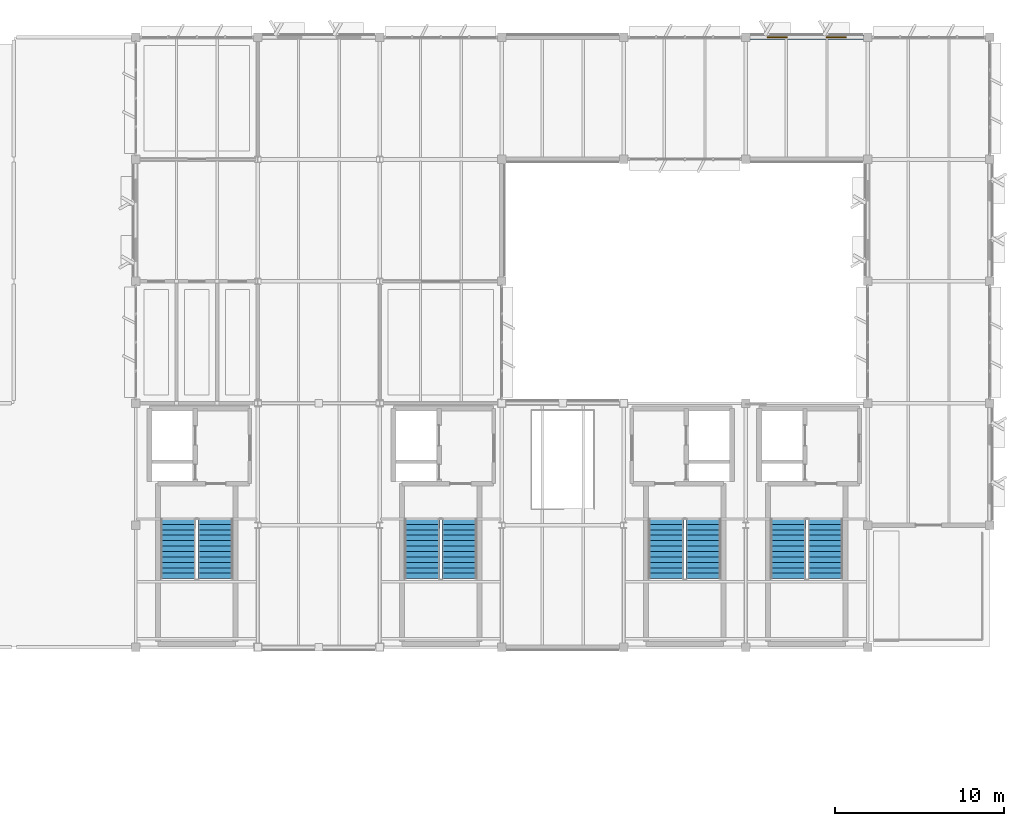
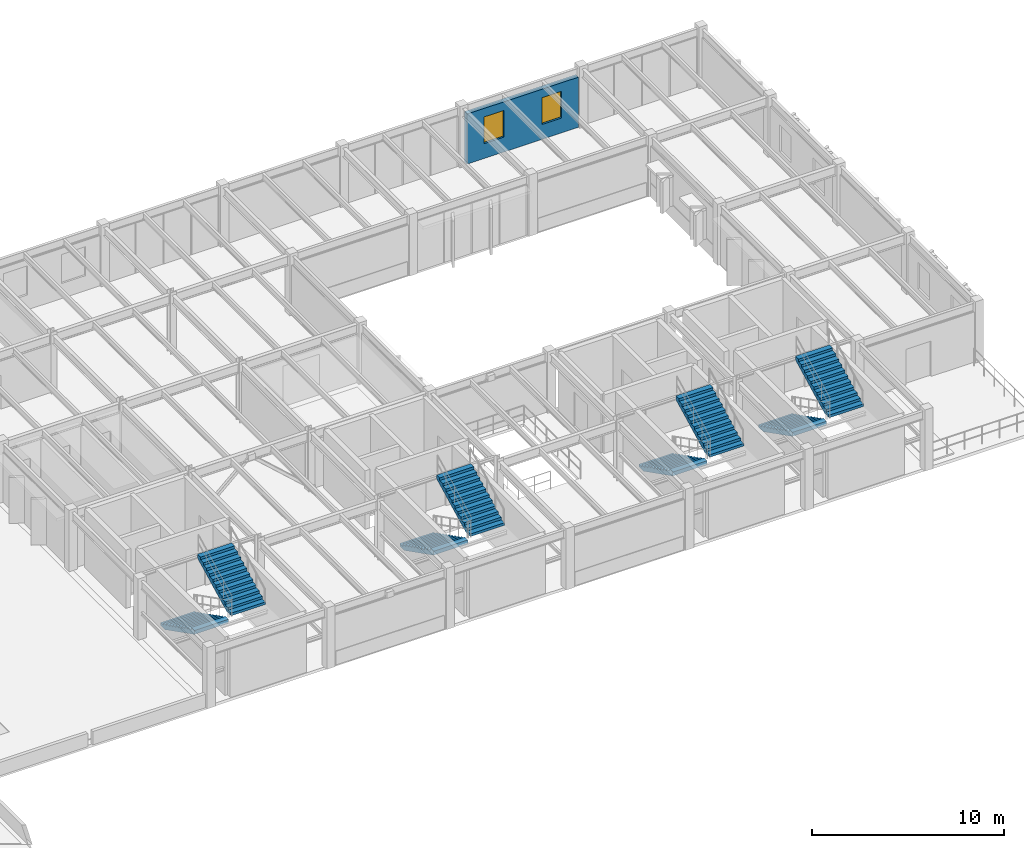
# One storey, part 8 of 23: 8 stair flights, 2 windows, 1 wall, 2 openings, 4 elements without a shape of their own.
"""IFC4 building model written with IfcOpenShell, lengths in metres."""

from ifc_helpers import new_model, si_unit, direction, frame, frame_2d, origin, place, context, subcontext, project, spatial, polyline, rectangle, outline, extrude, material, layer, layer_set, type_object, element, fill, aggregate, save


model = new_model("IFC4")

# Units and contexts
model_context = context("Model", 3, precision=1e-05, world=origin(), true_north=direction((0.0, 1.0)))
body_context = subcontext(model_context, "Body", "Model", "MODEL_VIEW")
ifc_project = project(units=[si_unit("LENGTHUNIT", "METRE"), si_unit("AREAUNIT", "SQUARE_METRE"), si_unit("VOLUMEUNIT", "CUBIC_METRE"), si_unit("PLANEANGLEUNIT", "RADIAN"), si_unit("MASSUNIT", "GRAM", prefix="KILO")], contexts=[model_context])

# Site, building, storey
site_placement = place(None, origin())
site = spatial("IfcSite", under=ifc_project, at=site_placement, CompositionType="ELEMENT")
building_placement = place(site_placement, origin())
building = spatial("IfcBuilding", under=site, at=building_placement, Name="Sillqori Civic Hall", CompositionType="ELEMENT")
storey_placement = place(building_placement, frame((0.0, 0.0, 21.89990234375)))
storey = spatial("IfcBuildingStorey", under=building, at=storey_placement, Name="L06", CompositionType="ELEMENT", Elevation=21.89990234375)

# Wall, openings, windows
ifc_material_1 = material(Name="Precast concrete C40/50 (H40)", Category="concrete")
ifc_layer = layer(ifc_material_1, 0.280029296875)
ifc_layer_set = layer_set([ifc_layer], Name="Precast concrete C40/50 (H40)")
wall_type = type_object("IfcWallType", Name="EW-LIME-280", PredefinedType="SOLIDWALL", material=ifc_layer_set)
wall_placement = place(storey_placement, frame((86.64990234375, 115.199951171875, 0.0), z_axis=(0.0, 0.0, 1.0), x_axis=(1.0, 0.0, 0.0)))
wall = element("IfcWall", 1, at=wall_placement, inside=storey, type_object=wall_type, Name="L06 V4 exterior wall L06-12-15-N", PredefinedType="SOLIDWALL", context=body_context, shape_type="SweptSolid", body=[
    extrude(rectangle(XDim=6.7001953125, YDim=0.280029296875, at=frame_2d((3.35009765625, 0.0))), origin(), (0.0, 0.0, 1.0), 3.192138671875),
])
opening_1_placement = place(wall_placement, frame((1.008056640625, 0.0, 0.949951171875)))
opening_1 = element("IfcOpeningElement", 2, at=opening_1_placement, cuts=wall, Name="Opening W-22", PredefinedType="OPENING", context=body_context, shape_type="SweptSolid", body=[
    extrude(rectangle(XDim=1.199951171875, YDim=1.699951171875, at=frame_2d((0.60009765625, 0.85009765625))), frame((0.0, 0.14990234375, 0.0), z_axis=(0.0, -1.0, 0.0), x_axis=(1.0, 0.0, 0.0)), (0.0, 0.0, 1.0), 0.300048828125),
])
opening_2_placement = place(wall_placement, frame((4.491943359375, 0.0, 0.949951171875)))
opening_2 = element("IfcOpeningElement", 3, at=opening_2_placement, cuts=wall, Name="Opening W-22", PredefinedType="OPENING", context=body_context, shape_type="SweptSolid", body=[
    extrude(rectangle(XDim=1.199951171875, YDim=1.699951171875, at=frame_2d((0.60009765625, 0.85009765625))), frame((0.0, 0.14990234375, 0.0), z_axis=(0.0, -1.0, 0.0), x_axis=(1.0, 0.0, 0.0)), (0.0, 0.0, 1.0), 0.300048828125),
])
ifc_material_2 = material(Name="Thermally Broken Aluminium Low-E Window", Category="aluminium")
window_type = type_object("IfcWindowType", Name="WIN-V5-120X170", PartitioningType="SINGLE_PANEL", PredefinedType="WINDOW", material=ifc_material_2)
window_1_placement = place(opening_1_placement, origin())
window_1 = element("IfcWindow", 4, at=window_1_placement, inside=storey, type_object=window_type, Name="L06 V4 window L06-12-15-N.1", OverallHeight=1.699951171875, OverallWidth=1.199951171875, PartitioningType="SINGLE_PANEL", PredefinedType="WINDOW", context=body_context, shape_type="SweptSolid", body=[
    extrude(rectangle(XDim=1.199951171875, YDim=1.699951171875, at=frame_2d((0.60009765625, 0.85009765625))), frame((0.0, 0.030029296875, 0.0), z_axis=(0.0, -1.0, 0.0), x_axis=(1.0, 0.0, 0.0)), (0.0, 0.0, 1.0), 0.06005859375),
])
fill(opening_1, window_1)
window_2_placement = place(opening_2_placement, origin())
window_2 = element("IfcWindow", 5, at=window_2_placement, inside=storey, type_object=window_type, Name="L06 V4 window L06-12-15-N.2", OverallHeight=1.699951171875, OverallWidth=1.199951171875, PartitioningType="SINGLE_PANEL", PredefinedType="WINDOW", context=body_context, shape_type="SweptSolid", body=[
    extrude(rectangle(XDim=1.199951171875, YDim=1.699951171875, at=frame_2d((0.60009765625, 0.85009765625))), frame((0.0, 0.030029296875, 0.0), z_axis=(0.0, -1.0, 0.0), x_axis=(1.0, 0.0, 0.0)), (0.0, 0.0, 1.0), 0.06005859375),
])
fill(opening_2, window_2)

# Stair, stair flights
ifc_material_3 = material(Name="Concrete C35/45 (H35)", Category="concrete")
stair_type_1 = type_object("IfcStairType", Name="STR-CORE-05", PredefinedType="DOUBLE_RETURN_STAIR", material=ifc_material_3)
stair_1_placement = place(storey_placement, origin())
stair_1 = element("IfcStair", 6, at=stair_1_placement, inside=storey, type_object=stair_type_1, Name="L06 Core exit stair ST-05", PredefinedType="DOUBLE_RETURN_STAIR")
stair_flight_type = type_object("IfcStairFlightType", Name="SFL-CORE-220", PredefinedType="STRAIGHT", material=ifc_material_3)
stair_flight_1_placement = place(storey_placement, frame((52.889892578125, 86.77001953125, 0.0), z_axis=(0.0, 0.0, 1.0), x_axis=(0.0, -1.0, 0.0)))
stair_flight_1 = element("IfcStairFlight", 7, at=stair_flight_1_placement, type_object=stair_flight_type, Name="ST-05 flight 1", NumberOfRisers=12, NumberOfTreads=11, PredefinedType="STRAIGHT", RiserHeight=0.1625, TreadLength=0.32, context=body_context, shape_type="SweptSolid", body=[
    extrude(outline(polyline([(0.0, 0.0), (0.0, 0.16259765625), (0.320068359375, 0.16259765625), (0.320068359375, 0.324951171875), (0.639892578125, 0.324951171875), (0.639892578125, 0.487548828125), (0.9599609375, 0.487548828125), (0.9599609375, 0.64990234375), (1.280029296875, 0.64990234375), (1.280029296875, 0.8125), (1.60009765625, 0.8125), (1.60009765625, 0.97509765625), (1.919921875, 0.97509765625), (1.919921875, 1.137451171875), (2.239990234375, 1.137451171875), (2.239990234375, 1.300048828125), (2.56005859375, 1.300048828125), (2.56005859375, 1.46240234375), (2.8798828125, 1.46240234375), (2.8798828125, 1.625), (3.199951171875, 1.625), (3.199951171875, 1.78759765625), (3.52001953125, 1.78759765625), (3.52001953125, 1.949951171875), (3.52001953125, 1.540771484375), (0.48583984375, 0.0), (0.0, 0.0)])), frame((0.0, 1.030029296875, 0.0), z_axis=(0.0, -1.0, 0.0), x_axis=(1.0, 0.0, 0.0)), (0.0, 0.0, 1.0), 2.06005859375),
])
stair_flight_2_placement = place(storey_placement, frame((55.110107421875, 83.25, 1.9501953125), z_axis=(0.0, 0.0, 1.0), x_axis=(0.0, 1.0, 0.0)))
stair_flight_2 = element("IfcStairFlight", 8, at=stair_flight_2_placement, type_object=stair_flight_type, Name="ST-05 flight 2", NumberOfRisers=12, NumberOfTreads=11, PredefinedType="STRAIGHT", RiserHeight=0.1625, TreadLength=0.32, context=body_context, shape_type="SweptSolid", body=[
    extrude(outline(polyline([(0.0, 0.0), (0.0, 0.16259765625), (0.320068359375, 0.16259765625), (0.320068359375, 0.324951171875), (0.639892578125, 0.324951171875), (0.639892578125, 0.487548828125), (0.9599609375, 0.487548828125), (0.9599609375, 0.64990234375), (1.280029296875, 0.64990234375), (1.280029296875, 0.8125), (1.60009765625, 0.8125), (1.60009765625, 0.97509765625), (1.919921875, 0.97509765625), (1.919921875, 1.137451171875), (2.239990234375, 1.137451171875), (2.239990234375, 1.300048828125), (2.56005859375, 1.300048828125), (2.56005859375, 1.46240234375), (2.8798828125, 1.46240234375), (2.8798828125, 1.625), (3.199951171875, 1.625), (3.199951171875, 1.78759765625), (3.52001953125, 1.78759765625), (3.52001953125, 1.949951171875), (3.52001953125, 1.540771484375), (0.48583984375, 0.0), (0.0, 0.0)])), frame((0.0, 1.030029296875, 0.0), z_axis=(0.0, -1.0, 0.0), x_axis=(1.0, 0.0, 0.0)), (0.0, 0.0, 1.0), 2.06005859375),
])
aggregate(stair_1, [stair_flight_1, stair_flight_2])

stair_type_2 = type_object("IfcStairType", Name="STR-CORE-06", PredefinedType="DOUBLE_RETURN_STAIR", material=ifc_material_3)
stair_2_placement = place(storey_placement, origin())
stair_2 = element("IfcStair", 9, at=stair_2_placement, inside=storey, type_object=stair_type_2, Name="L06 Core exit stair ST-06", PredefinedType="DOUBLE_RETURN_STAIR")
stair_flight_3_placement = place(storey_placement, frame((67.2900390625, 86.77001953125, 0.0), z_axis=(0.0, 0.0, 1.0), x_axis=(0.0, -1.0, 0.0)))
stair_flight_3 = element("IfcStairFlight", 10, at=stair_flight_3_placement, type_object=stair_flight_type, Name="ST-06 flight 1", NumberOfRisers=12, NumberOfTreads=11, PredefinedType="STRAIGHT", RiserHeight=0.1625, TreadLength=0.32, context=body_context, shape_type="SweptSolid", body=[
    extrude(outline(polyline([(0.0, 0.0), (0.0, 0.16259765625), (0.320068359375, 0.16259765625), (0.320068359375, 0.324951171875), (0.639892578125, 0.324951171875), (0.639892578125, 0.487548828125), (0.9599609375, 0.487548828125), (0.9599609375, 0.64990234375), (1.280029296875, 0.64990234375), (1.280029296875, 0.8125), (1.60009765625, 0.8125), (1.60009765625, 0.97509765625), (1.919921875, 0.97509765625), (1.919921875, 1.137451171875), (2.239990234375, 1.137451171875), (2.239990234375, 1.300048828125), (2.56005859375, 1.300048828125), (2.56005859375, 1.46240234375), (2.8798828125, 1.46240234375), (2.8798828125, 1.625), (3.199951171875, 1.625), (3.199951171875, 1.78759765625), (3.52001953125, 1.78759765625), (3.52001953125, 1.949951171875), (3.52001953125, 1.540771484375), (0.48583984375, 0.0), (0.0, 0.0)])), frame((0.0, 1.030029296875, 0.0), z_axis=(0.0, -1.0, 0.0), x_axis=(1.0, 0.0, 0.0)), (0.0, 0.0, 1.0), 2.06005859375),
])
stair_flight_4_placement = place(storey_placement, frame((69.510009765625, 83.25, 1.9501953125), z_axis=(0.0, 0.0, 1.0), x_axis=(0.0, 1.0, 0.0)))
stair_flight_4 = element("IfcStairFlight", 11, at=stair_flight_4_placement, type_object=stair_flight_type, Name="ST-06 flight 2", NumberOfRisers=12, NumberOfTreads=11, PredefinedType="STRAIGHT", RiserHeight=0.1625, TreadLength=0.32, context=body_context, shape_type="SweptSolid", body=[
    extrude(outline(polyline([(0.0, 0.0), (0.0, 0.16259765625), (0.320068359375, 0.16259765625), (0.320068359375, 0.324951171875), (0.639892578125, 0.324951171875), (0.639892578125, 0.487548828125), (0.9599609375, 0.487548828125), (0.9599609375, 0.64990234375), (1.280029296875, 0.64990234375), (1.280029296875, 0.8125), (1.60009765625, 0.8125), (1.60009765625, 0.97509765625), (1.919921875, 0.97509765625), (1.919921875, 1.137451171875), (2.239990234375, 1.137451171875), (2.239990234375, 1.300048828125), (2.56005859375, 1.300048828125), (2.56005859375, 1.46240234375), (2.8798828125, 1.46240234375), (2.8798828125, 1.625), (3.199951171875, 1.625), (3.199951171875, 1.78759765625), (3.52001953125, 1.78759765625), (3.52001953125, 1.949951171875), (3.52001953125, 1.540771484375), (0.48583984375, 0.0), (0.0, 0.0)])), frame((0.0, 1.030029296875, 0.0), z_axis=(0.0, -1.0, 0.0), x_axis=(1.0, 0.0, 0.0)), (0.0, 0.0, 1.0), 2.06005859375),
])
aggregate(stair_2, [stair_flight_3, stair_flight_4])

stair_type_3 = type_object("IfcStairType", Name="STR-CORE-07", PredefinedType="DOUBLE_RETURN_STAIR", material=ifc_material_3)
stair_3_placement = place(storey_placement, origin())
stair_3 = element("IfcStair", 12, at=stair_3_placement, inside=storey, type_object=stair_type_3, Name="L06 Core exit stair ST-07", PredefinedType="DOUBLE_RETURN_STAIR")
stair_flight_5_placement = place(storey_placement, frame((81.68994140625, 86.77001953125, 0.0), z_axis=(0.0, 0.0, 1.0), x_axis=(0.0, -1.0, 0.0)))
stair_flight_5 = element("IfcStairFlight", 13, at=stair_flight_5_placement, type_object=stair_flight_type, Name="ST-07 flight 1", NumberOfRisers=12, NumberOfTreads=11, PredefinedType="STRAIGHT", RiserHeight=0.1625, TreadLength=0.32, context=body_context, shape_type="SweptSolid", body=[
    extrude(outline(polyline([(0.0, 0.0), (0.0, 0.16259765625), (0.320068359375, 0.16259765625), (0.320068359375, 0.324951171875), (0.639892578125, 0.324951171875), (0.639892578125, 0.487548828125), (0.9599609375, 0.487548828125), (0.9599609375, 0.64990234375), (1.280029296875, 0.64990234375), (1.280029296875, 0.8125), (1.60009765625, 0.8125), (1.60009765625, 0.97509765625), (1.919921875, 0.97509765625), (1.919921875, 1.137451171875), (2.239990234375, 1.137451171875), (2.239990234375, 1.300048828125), (2.56005859375, 1.300048828125), (2.56005859375, 1.46240234375), (2.8798828125, 1.46240234375), (2.8798828125, 1.625), (3.199951171875, 1.625), (3.199951171875, 1.78759765625), (3.52001953125, 1.78759765625), (3.52001953125, 1.949951171875), (3.52001953125, 1.540771484375), (0.48583984375, 0.0), (0.0, 0.0)])), frame((0.0, 1.030029296875, 0.0), z_axis=(0.0, -1.0, 0.0), x_axis=(1.0, 0.0, 0.0)), (0.0, 0.0, 1.0), 2.06005859375),
])
stair_flight_6_placement = place(storey_placement, frame((83.909912109375, 83.25, 1.9501953125), z_axis=(0.0, 0.0, 1.0), x_axis=(0.0, 1.0, 0.0)))
stair_flight_6 = element("IfcStairFlight", 14, at=stair_flight_6_placement, type_object=stair_flight_type, Name="ST-07 flight 2", NumberOfRisers=12, NumberOfTreads=11, PredefinedType="STRAIGHT", RiserHeight=0.1625, TreadLength=0.32, context=body_context, shape_type="SweptSolid", body=[
    extrude(outline(polyline([(0.0, 0.0), (0.0, 0.16259765625), (0.320068359375, 0.16259765625), (0.320068359375, 0.324951171875), (0.639892578125, 0.324951171875), (0.639892578125, 0.487548828125), (0.9599609375, 0.487548828125), (0.9599609375, 0.64990234375), (1.280029296875, 0.64990234375), (1.280029296875, 0.8125), (1.60009765625, 0.8125), (1.60009765625, 0.97509765625), (1.919921875, 0.97509765625), (1.919921875, 1.137451171875), (2.239990234375, 1.137451171875), (2.239990234375, 1.300048828125), (2.56005859375, 1.300048828125), (2.56005859375, 1.46240234375), (2.8798828125, 1.46240234375), (2.8798828125, 1.625), (3.199951171875, 1.625), (3.199951171875, 1.78759765625), (3.52001953125, 1.78759765625), (3.52001953125, 1.949951171875), (3.52001953125, 1.540771484375), (0.48583984375, 0.0), (0.0, 0.0)])), frame((0.0, 1.030029296875, 0.0), z_axis=(0.0, -1.0, 0.0), x_axis=(1.0, 0.0, 0.0)), (0.0, 0.0, 1.0), 2.06005859375),
])
aggregate(stair_3, [stair_flight_5, stair_flight_6])

stair_type_4 = type_object("IfcStairType", Name="STR-CORE-08", PredefinedType="DOUBLE_RETURN_STAIR", material=ifc_material_3)
stair_4_placement = place(storey_placement, origin())
stair_4 = element("IfcStair", 15, at=stair_4_placement, inside=storey, type_object=stair_type_4, Name="L06 Core exit stair ST-08", PredefinedType="DOUBLE_RETURN_STAIR")
stair_flight_7_placement = place(storey_placement, frame((88.889892578125, 86.77001953125, 0.0), z_axis=(0.0, 0.0, 1.0), x_axis=(0.0, -1.0, 0.0)))
stair_flight_7 = element("IfcStairFlight", 16, at=stair_flight_7_placement, type_object=stair_flight_type, Name="ST-08 flight 1", NumberOfRisers=12, NumberOfTreads=11, PredefinedType="STRAIGHT", RiserHeight=0.1625, TreadLength=0.32, context=body_context, shape_type="SweptSolid", body=[
    extrude(outline(polyline([(0.0, 0.0), (0.0, 0.16259765625), (0.320068359375, 0.16259765625), (0.320068359375, 0.324951171875), (0.639892578125, 0.324951171875), (0.639892578125, 0.487548828125), (0.9599609375, 0.487548828125), (0.9599609375, 0.64990234375), (1.280029296875, 0.64990234375), (1.280029296875, 0.8125), (1.60009765625, 0.8125), (1.60009765625, 0.97509765625), (1.919921875, 0.97509765625), (1.919921875, 1.137451171875), (2.239990234375, 1.137451171875), (2.239990234375, 1.300048828125), (2.56005859375, 1.300048828125), (2.56005859375, 1.46240234375), (2.8798828125, 1.46240234375), (2.8798828125, 1.625), (3.199951171875, 1.625), (3.199951171875, 1.78759765625), (3.52001953125, 1.78759765625), (3.52001953125, 1.949951171875), (3.52001953125, 1.540771484375), (0.48583984375, 0.0), (0.0, 0.0)])), frame((0.0, 1.030029296875, 0.0), z_axis=(0.0, -1.0, 0.0), x_axis=(1.0, 0.0, 0.0)), (0.0, 0.0, 1.0), 2.06005859375),
])
stair_flight_8_placement = place(storey_placement, frame((91.110107421875, 83.25, 1.9501953125), z_axis=(0.0, 0.0, 1.0), x_axis=(0.0, 1.0, 0.0)))
stair_flight_8 = element("IfcStairFlight", 17, at=stair_flight_8_placement, type_object=stair_flight_type, Name="ST-08 flight 2", NumberOfRisers=12, NumberOfTreads=11, PredefinedType="STRAIGHT", RiserHeight=0.1625, TreadLength=0.32, context=body_context, shape_type="SweptSolid", body=[
    extrude(outline(polyline([(0.0, 0.0), (0.0, 0.16259765625), (0.320068359375, 0.16259765625), (0.320068359375, 0.324951171875), (0.639892578125, 0.324951171875), (0.639892578125, 0.487548828125), (0.9599609375, 0.487548828125), (0.9599609375, 0.64990234375), (1.280029296875, 0.64990234375), (1.280029296875, 0.8125), (1.60009765625, 0.8125), (1.60009765625, 0.97509765625), (1.919921875, 0.97509765625), (1.919921875, 1.137451171875), (2.239990234375, 1.137451171875), (2.239990234375, 1.300048828125), (2.56005859375, 1.300048828125), (2.56005859375, 1.46240234375), (2.8798828125, 1.46240234375), (2.8798828125, 1.625), (3.199951171875, 1.625), (3.199951171875, 1.78759765625), (3.52001953125, 1.78759765625), (3.52001953125, 1.949951171875), (3.52001953125, 1.540771484375), (0.48583984375, 0.0), (0.0, 0.0)])), frame((0.0, 1.030029296875, 0.0), z_axis=(0.0, -1.0, 0.0), x_axis=(1.0, 0.0, 0.0)), (0.0, 0.0, 1.0), 2.06005859375),
])
aggregate(stair_4, [stair_flight_7, stair_flight_8])

save(model, "model.ifc")
